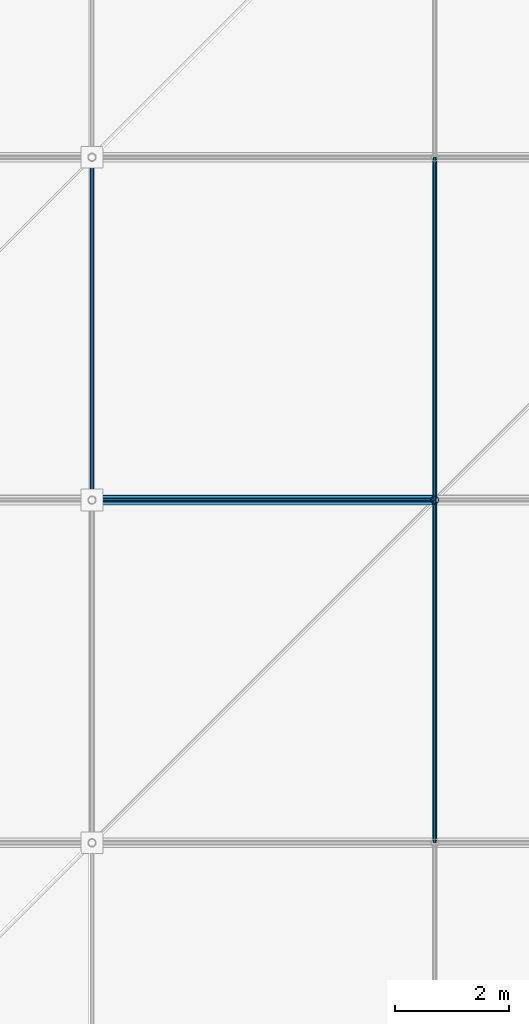
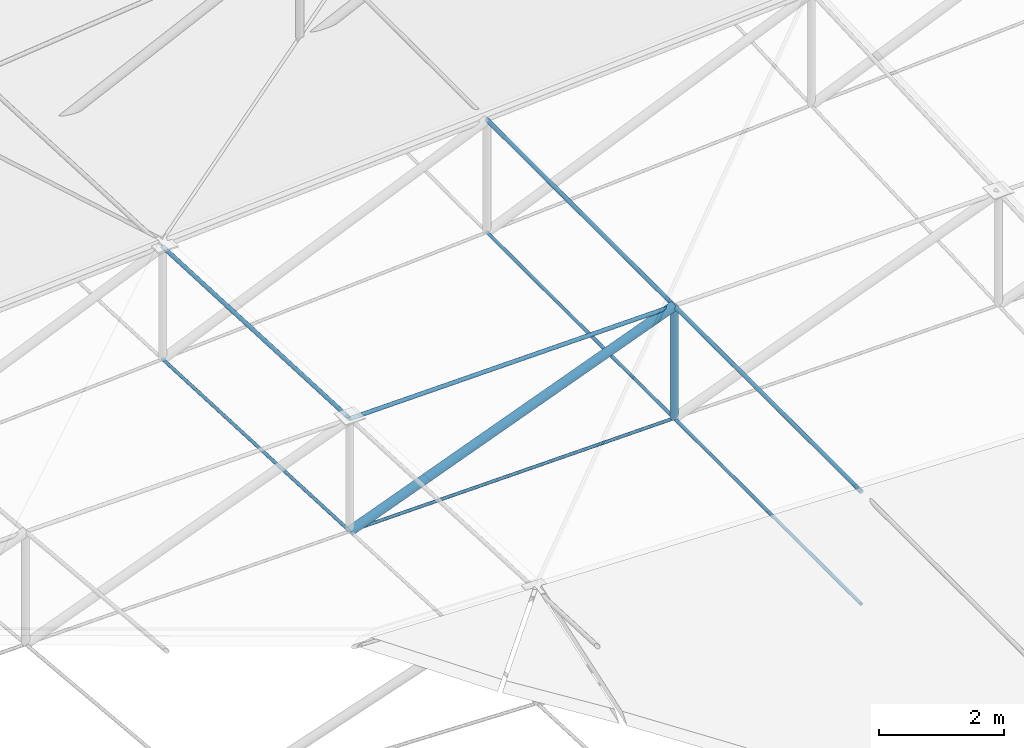
# One storey, part 28 of 132: 10 members.
"""IFC4 building model written with IfcOpenShell, lengths in metres."""

from ifc_helpers import new_model, si_unit, direction, frame, origin, origin_2d, place, context, subcontext, project, spatial, circle, hollow_circle, extrude, material, material_profile, profile_set, type_object, element, save


model = new_model("IFC4")

# Units and contexts
model_context = context("Model", 3, precision=1e-05, world=origin(), true_north=direction((0.0, 1.0)))
body_context = subcontext(model_context, "Body", "Model", "MODEL_VIEW")
ifc_project = project(units=[si_unit("LENGTHUNIT", "METRE"), si_unit("AREAUNIT", "SQUARE_METRE"), si_unit("VOLUMEUNIT", "CUBIC_METRE"), si_unit("PLANEANGLEUNIT", "RADIAN"), si_unit("MASSUNIT", "GRAM", prefix="KILO")], contexts=[model_context])

# Site, building, storey
site_placement = place(None, origin())
site = spatial("IfcSite", under=ifc_project, at=site_placement, CompositionType="ELEMENT")
building_placement = place(site_placement, origin())
building = spatial("IfcBuilding", under=site, at=building_placement, Name="Deido Ridge Mobility Hub", CompositionType="ELEMENT")
storey_placement = place(building_placement, frame((0.0, 0.0, 8.39990234375)))
storey = spatial("IfcBuildingStorey", under=building, at=storey_placement, Name="L02", CompositionType="ELEMENT", Elevation=8.39990234375)

# Members
ifc_material_1 = material(Name="Steel S460M EN 10025-4", Category="steel")
ifc_material_profile_1 = material_profile(ifc_material_1, circle(Radius=0.030029296875, at=origin_2d()), Name="CABLE D60")
ifc_profile_set_1 = profile_set([ifc_material_profile_1], Name="Steel S460M EN 10025-4")
member_type_1 = type_object("IfcMemberType", Name="MEM-CBL-D60", PredefinedType="USERDEFINED", material=ifc_profile_set_1)
member_1_placement = place(storey_placement, frame((24.0, 18.0, 1.690185546875), z_axis=(0.999832404079, 0.0, 0.018307478102), x_axis=(0.0, 1.0, 0.0)))
element("IfcMember", 1, at=member_1_placement, inside=storey, type_object=member_type_1, Name="Saddle lower stabilizing cable CB3", ObjectType="TENSION CABLE", PredefinedType="USERDEFINED", context=body_context, shape_type="SweptSolid", body=[
    extrude(circle(Radius=0.030029296875, at=origin_2d()), origin(), (0.0, 0.0, 1.0), 6.0009765625),
])
member_2_placement = place(storey_placement, frame((24.0, 18.0, 1.690185546875), z_axis=(0.0, 0.998963169392, -0.045525665272), x_axis=(-1.0, 0.0, 0.0)))
element("IfcMember", 2, at=member_2_placement, inside=storey, type_object=member_type_1, Name="Saddle transverse valley cable CB3", ObjectType="TENSION CABLE", PredefinedType="USERDEFINED", context=body_context, shape_type="SweptSolid", body=[
    extrude(circle(Radius=0.030029296875, at=origin_2d()), origin(), (0.0, 0.0, 1.0), 6.00634765625),
])
for number, where, z_axis, x_axis, name in (
    (3, (30.0, 12.0, 1.800048828125), (0.0, 1.0, 0.0), (-1.0, 0.0, 0.0), "Saddle transverse valley cable CB3"),
    (4, (30.0, 18.0, 1.800048828125), (0.0, 1.0, 0.0), (-1.0, 0.0, 0.0), "Saddle transverse valley cable CB3"),
):
    element("IfcMember", number, at=place(storey_placement, frame(where, z_axis=z_axis, x_axis=x_axis)), inside=storey, type_object=member_type_1, Name=name, ObjectType="TENSION CABLE", PredefinedType="USERDEFINED", context=body_context, shape_type="SweptSolid", body=[
        extrude(circle(Radius=0.030029296875, at=origin_2d()), origin(), (0.0, 0.0, 1.0), 6.0),
    ])
ifc_material_profile_2 = material_profile(ifc_material_1, circle(Radius=0.0380859375, at=origin_2d()), Name="CABLE D76")
ifc_profile_set_2 = profile_set([ifc_material_profile_2], Name="Steel S460M EN 10025-4")
member_type_2 = type_object("IfcMemberType", Name="MEM-CBL-D76", PredefinedType="USERDEFINED", material=ifc_profile_set_2)
member_3_placement = place(storey_placement, frame((24.0, 18.0, 3.89013671875), z_axis=(0.999832404079, 0.0, 0.018307478102), x_axis=(0.0, 1.0, 0.0)))
element("IfcMember", 5, at=member_3_placement, inside=storey, type_object=member_type_2, Name="Saddle upper longitudinal cable CB2", ObjectType="TENSION CABLE", PredefinedType="USERDEFINED", context=body_context, shape_type="SweptSolid", body=[
    extrude(circle(Radius=0.0380859375, at=origin_2d()), origin(), (0.0, 0.0, 1.0), 6.0009765625),
])
member_4_placement = place(storey_placement, frame((24.0, 18.0, 3.89013671875), z_axis=(0.0, 0.998963169392, -0.045525665272), x_axis=(-1.0, 0.0, 0.0)))
element("IfcMember", 6, at=member_4_placement, inside=storey, type_object=member_type_2, Name="Saddle transverse ridge cable CB2", ObjectType="TENSION CABLE", PredefinedType="USERDEFINED", context=body_context, shape_type="SweptSolid", body=[
    extrude(circle(Radius=0.0380859375, at=origin_2d()), origin(), (0.0, 0.0, 1.0), 6.00634765625),
])
for number, where, z_axis, x_axis, name in (
    (7, (30.0, 12.0, 4.0), (0.0, 1.0, 0.0), (-1.0, 0.0, 0.0), "Saddle transverse ridge cable CB2"),
    (8, (30.0, 18.0, 4.0), (0.0, 1.0, 0.0), (-1.0, 0.0, 0.0), "Saddle transverse ridge cable CB2"),
):
    element("IfcMember", number, at=place(storey_placement, frame(where, z_axis=z_axis, x_axis=x_axis)), inside=storey, type_object=member_type_2, Name=name, ObjectType="TENSION CABLE", PredefinedType="USERDEFINED", context=body_context, shape_type="SweptSolid", body=[
        extrude(circle(Radius=0.0380859375, at=origin_2d()), origin(), (0.0, 0.0, 1.0), 6.0),
    ])
ifc_material_2 = material(Name="Steel S355J2H EN 10210-1", Category="steel")
ifc_material_profile_3 = material_profile(ifc_material_2, hollow_circle(Radius=0.06982421875, WallThickness=0.00634765625, at=origin_2d()), Name="CHS 139.7x6.3")
ifc_profile_set_3 = profile_set([ifc_material_profile_3], Name="Steel S355J2H EN 10210-1")
member_type_3 = type_object("IfcMemberType", Name="MEM-STR-CHS140", PredefinedType="STRUT", material=ifc_profile_set_3)
member_5_placement = place(storey_placement, frame((30.0, 18.0, 1.800048828125), z_axis=(0.0, 0.0, 1.0), x_axis=(1.0, 0.0, 0.0)))
element("IfcMember", 9, at=member_5_placement, inside=storey, type_object=member_type_3, Name="Cable-net vertical spreader strut SR2", PredefinedType="STRUT", context=body_context, shape_type="SweptSolid", body=[
    extrude(hollow_circle(Radius=0.06982421875, WallThickness=0.00634765625, at=origin_2d()), origin(), (0.0, 0.0, 1.0), 2.199951171875),
])
ifc_material_profile_4 = material_profile(ifc_material_2, hollow_circle(Radius=0.084228515625, WallThickness=0.008056640625, at=origin_2d()), Name="CHS 168.3x8")
ifc_profile_set_4 = profile_set([ifc_material_profile_4], Name="Steel S355J2H EN 10210-1")
member_type_4 = type_object("IfcMemberType", Name="MEM-STR-CHS168", PredefinedType="STRUT", material=ifc_profile_set_4)
member_6_placement = place(storey_placement, frame((24.0, 18.0, 1.690185546875), z_axis=(0.933234969195, 0.0, 0.359266603335), x_axis=(0.0, 1.0, 0.0)))
element("IfcMember", 10, at=member_6_placement, inside=storey, type_object=member_type_4, Name="Saddle diagonal web strut SR1", PredefinedType="STRUT", context=body_context, shape_type="SweptSolid", body=[
    extrude(hollow_circle(Radius=0.084228515625, WallThickness=0.008056640625, at=origin_2d()), origin(), (0.0, 0.0, 1.0), 6.42919921875),
])

save(model, "model.ifc")
